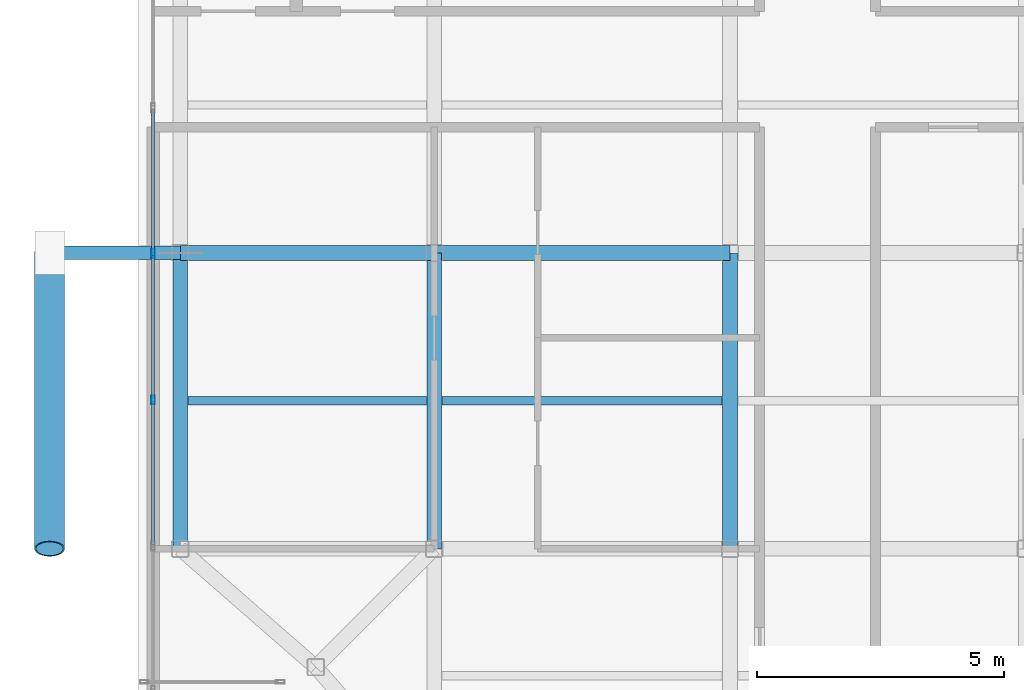
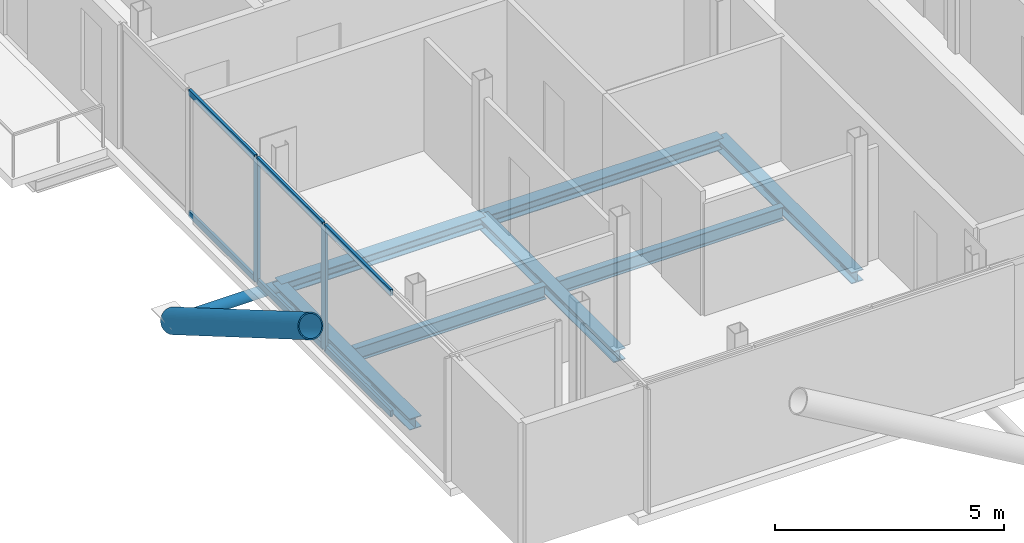
# One storey, part 3 of 18: 10 members, 7 beams, 1 element without a shape of its own.
"""IFC4 building model written with IfcOpenShell, lengths in metres."""

from ifc_helpers import new_model, si_unit, direction, frame, origin, origin_2d, place, context, subcontext, project, spatial, hollow_rectangle, hollow_circle, i_section, extrude, material, layer, layer_set, material_profile, profile_set, type_object, element, aggregate, save


model = new_model("IFC4")

# Units and contexts
model_context = context("Model", 3, precision=1e-05, world=origin(), true_north=direction((0.0, 1.0)))
body_context = subcontext(model_context, "Body", "Model", "MODEL_VIEW")
ifc_project = project(units=[si_unit("LENGTHUNIT", "METRE"), si_unit("AREAUNIT", "SQUARE_METRE"), si_unit("VOLUMEUNIT", "CUBIC_METRE"), si_unit("PLANEANGLEUNIT", "RADIAN"), si_unit("MASSUNIT", "GRAM", prefix="KILO"), si_unit("THERMODYNAMICTEMPERATUREUNIT", "KELVIN"), si_unit("POWERUNIT", "WATT")], contexts=[model_context])

# Site, building, storey
site_placement = place(None, origin())
site = spatial("IfcSite", under=ifc_project, at=site_placement, CompositionType="ELEMENT")
building_placement = place(site_placement, origin())
building = spatial("IfcBuilding", under=site, at=building_placement, Name="Svarakhadi Broadcast Tower", CompositionType="ELEMENT")
storey_placement = place(building_placement, frame((0.0, 0.0, 246.699951171875)))
storey = spatial("IfcBuildingStorey", under=building, at=storey_placement, Name="L61", CompositionType="ELEMENT", Elevation=246.699951171875)

# Beams
ifc_material_1 = material(Name="Steel S355J2 (IS 2062 E350C)", Category="steel")
ifc_material_profile_1 = material_profile(ifc_material_1, i_section(OverallWidth=0.169921875, OverallDepth=0.360107421875, WebThickness=0.008056640625, FlangeThickness=0.0126953125, FilletRadius=0.01806640625, at=origin_2d()), Name="NPB 360x170x57")
ifc_profile_set_1 = profile_set([ifc_material_profile_1], Name="Steel S355J2 (IS 2062 E350C)")
beam_type_1 = type_object("IfcBeamType", Name="Beam_NPB360", PredefinedType="BEAM", material=ifc_profile_set_1)
beam_1_placement = place(storey_placement, frame((1.010009765625, 9.0, -0.3798828125), z_axis=(1.0, 0.0, 0.0), x_axis=(0.0, 1.0, 0.0)))
element("IfcBeam", 1, at=beam_1_placement, inside=storey, type_object=beam_type_1, Name="L61 Secondary Composite Beam SB001", PredefinedType="BEAM", context=body_context, shape_type="SweptSolid", body=[
    extrude(i_section(OverallWidth=0.169921875, OverallDepth=0.360107421875, WebThickness=0.008056640625, FlangeThickness=0.0126953125, FilletRadius=0.01806640625, at=origin_2d()), origin(), (0.0, 0.0, 1.0), 4.830078125),
])
beam_2_placement = place(storey_placement, frame((6.159912109375, 9.0, -0.3798828125), z_axis=(1.0, 0.0, 0.0), x_axis=(0.0, 1.0, 0.0)))
element("IfcBeam", 2, at=beam_2_placement, inside=storey, type_object=beam_type_1, Name="L61 Secondary Composite Beam SB005", PredefinedType="BEAM", context=body_context, shape_type="SweptSolid", body=[
    extrude(i_section(OverallWidth=0.169921875, OverallDepth=0.360107421875, WebThickness=0.008056640625, FlangeThickness=0.0126953125, FilletRadius=0.01806640625, at=origin_2d()), origin(), (0.0, 0.0, 1.0), 5.68017578125),
])

# Curtain wall, members
ifc_material_2 = material(Name="Anodised Bronze Aluminium AA 6063-T6", Category="aluminium")
ifc_layer = layer(ifc_material_2, 0.179931640625)
ifc_layer_set = layer_set([ifc_layer], Name="Anodised Bronze Aluminium AA 6063-T6")
curtain_wall_type = type_object("IfcCurtainWallType", Name="CW_Sys_05", PredefinedType="NOTDEFINED", material=ifc_layer_set)
curtain_wall_placement = place(storey_placement, origin())
curtain_wall = element("IfcCurtainWall", 3, at=curtain_wall_placement, inside=storey, type_object=curtain_wall_type, Name="L61 West Curtain Wall 02", PredefinedType="NOTDEFINED")
ifc_material_profile_2 = material_profile(ifc_material_2, hollow_rectangle(XDim=0.070068359375, YDim=0.179931640625, WallThickness=0.005615234375, at=origin_2d()), Name="ALU MULLION 180x70x6")
ifc_profile_set_2 = profile_set([ifc_material_profile_2], Name="Anodised Bronze Aluminium AA 6063-T6")
member_type_1 = type_object("IfcMemberType", Name="CW_Sys_05_Mul", PredefinedType="MULLION", material=ifc_profile_set_2)
member_1_placement = place(storey_placement, frame((0.300048828125, 9.01806640625, 0.0), z_axis=(0.0, 0.0, 1.0), x_axis=(-1.0, 0.0, 0.0)))
member_1 = element("IfcMember", 4, at=member_1_placement, type_object=member_type_1, Name="CW-05 mullion 3", PredefinedType="MULLION", context=body_context, shape_type="SweptSolid", body=[
    extrude(hollow_rectangle(XDim=0.070068359375, YDim=0.179931640625, WallThickness=0.005615234375, at=origin_2d()), origin(), (0.0, 0.0, 1.0), 3.300048828125),
])
member_2_placement = place(storey_placement, frame((0.300048828125, 11.98193359375, 0.0), z_axis=(0.0, 0.0, 1.0), x_axis=(-1.0, 0.0, 0.0)))
member_2 = element("IfcMember", 5, at=member_2_placement, type_object=member_type_1, Name="CW-05 mullion 4", PredefinedType="MULLION", context=body_context, shape_type="SweptSolid", body=[
    extrude(hollow_rectangle(XDim=0.070068359375, YDim=0.179931640625, WallThickness=0.005615234375, at=origin_2d()), origin(), (0.0, 0.0, 1.0), 3.300048828125),
])
ifc_material_profile_3 = material_profile(ifc_material_2, hollow_rectangle(XDim=0.06494140625, YDim=0.1650390625, WallThickness=0.0048828125, at=origin_2d()), Name="ALU TRANSOM 165x65x5")
ifc_profile_set_3 = profile_set([ifc_material_profile_3], Name="Anodised Bronze Aluminium AA 6063-T6")
member_type_2 = type_object("IfcMemberType", Name="CW_Sys_05_Trn", PredefinedType="USERDEFINED", material=ifc_profile_set_3)
member_3_placement = place(storey_placement, frame((0.300048828125, 6.089111328125, 0.032470703125), z_axis=(0.0, 1.0, 0.0), x_axis=(-1.0, 0.0, 0.0)))
member_3 = element("IfcMember", 6, at=member_3_placement, type_object=member_type_2, Name="CW-05 transom 2.1", ObjectType="TRANSOM", PredefinedType="USERDEFINED", context=body_context, shape_type="SweptSolid", body=[
    extrude(hollow_rectangle(XDim=0.06494140625, YDim=0.1650390625, WallThickness=0.0048828125, at=origin_2d()), origin(), (0.0, 0.0, 1.0), 2.893798828125),
])
member_4_placement = place(storey_placement, frame((0.300048828125, 6.089111328125, 3.267578125), z_axis=(0.0, 1.0, 0.0), x_axis=(-1.0, 0.0, 0.0)))
member_4 = element("IfcMember", 7, at=member_4_placement, type_object=member_type_2, Name="CW-05 transom 2.2", ObjectType="TRANSOM", PredefinedType="USERDEFINED", context=body_context, shape_type="SweptSolid", body=[
    extrude(hollow_rectangle(XDim=0.06494140625, YDim=0.1650390625, WallThickness=0.0048828125, at=origin_2d()), origin(), (0.0, 0.0, 1.0), 2.893798828125),
])
member_5_placement = place(storey_placement, frame((0.300048828125, 9.052978515625, 0.032470703125), z_axis=(0.0, 1.0, 0.0), x_axis=(-1.0, 0.0, 0.0)))
member_5 = element("IfcMember", 8, at=member_5_placement, type_object=member_type_2, Name="CW-05 transom 3.1", ObjectType="TRANSOM", PredefinedType="USERDEFINED", context=body_context, shape_type="SweptSolid", body=[
    extrude(hollow_rectangle(XDim=0.06494140625, YDim=0.1650390625, WallThickness=0.0048828125, at=origin_2d()), origin(), (0.0, 0.0, 1.0), 2.89404296875),
])
member_6_placement = place(storey_placement, frame((0.300048828125, 9.052978515625, 3.267578125), z_axis=(0.0, 1.0, 0.0), x_axis=(-1.0, 0.0, 0.0)))
member_6 = element("IfcMember", 9, at=member_6_placement, type_object=member_type_2, Name="CW-05 transom 3.2", ObjectType="TRANSOM", PredefinedType="USERDEFINED", context=body_context, shape_type="SweptSolid", body=[
    extrude(hollow_rectangle(XDim=0.06494140625, YDim=0.1650390625, WallThickness=0.0048828125, at=origin_2d()), origin(), (0.0, 0.0, 1.0), 2.89404296875),
])
member_7_placement = place(storey_placement, frame((0.300048828125, 12.01708984375, 0.032470703125), z_axis=(0.0, 1.0, 0.0), x_axis=(-1.0, 0.0, 0.0)))
member_7 = element("IfcMember", 10, at=member_7_placement, type_object=member_type_2, Name="CW-05 transom 4.1", ObjectType="TRANSOM", PredefinedType="USERDEFINED", context=body_context, shape_type="SweptSolid", body=[
    extrude(hollow_rectangle(XDim=0.06494140625, YDim=0.1650390625, WallThickness=0.0048828125, at=origin_2d()), origin(), (0.0, 0.0, 1.0), 2.893798828125),
])
member_8_placement = place(storey_placement, frame((0.300048828125, 12.01708984375, 3.267578125), z_axis=(0.0, 1.0, 0.0), x_axis=(-1.0, 0.0, 0.0)))
member_8 = element("IfcMember", 11, at=member_8_placement, type_object=member_type_2, Name="CW-05 transom 4.2", ObjectType="TRANSOM", PredefinedType="USERDEFINED", context=body_context, shape_type="SweptSolid", body=[
    extrude(hollow_rectangle(XDim=0.06494140625, YDim=0.1650390625, WallThickness=0.0048828125, at=origin_2d()), origin(), (0.0, 0.0, 1.0), 2.893798828125),
])
aggregate(curtain_wall, [member_1, member_2, member_3, member_4, member_5, member_6, member_7, member_8])

# Members
ifc_material_3 = material(Name="Steel S460ML (IS 2062 E450BR)", Category="steel")
ifc_material_profile_4 = material_profile(ifc_material_3, hollow_circle(Radius=0.304931640625, WallThickness=0.030029296875, at=origin_2d()), Name="CHS 610x30")
ifc_profile_set_4 = profile_set([ifc_material_profile_4], Name="Steel S460ML (IS 2062 E450BR)")
member_type_3 = type_object("IfcMemberType", Name="Exo_Brace_CHS610", PredefinedType="BRACE", material=ifc_profile_set_4)
member_9_placement = place(storey_placement, frame((-1.800048828125, 12.0, -0.33642578125), z_axis=(0.0, -0.863778900898, 0.503871025524), x_axis=(1.0, 0.0, 0.0)))
element("IfcMember", 12, at=member_9_placement, inside=storey, type_object=member_type_3, Name="L61 Exposed Bronze Exoskeleton Diagonal W03", PredefinedType="BRACE", context=body_context, shape_type="SweptSolid", body=[
    extrude(hollow_circle(Radius=0.304931640625, WallThickness=0.030029296875, at=origin_2d()), origin(), (0.0, 0.0, 1.0), 6.9462890625),
])
ifc_material_profile_5 = material_profile(ifc_material_3, hollow_circle(Radius=0.136474609375, WallThickness=0.012451171875, at=origin_2d()), Name="CHS 273x12.5")
ifc_profile_set_5 = profile_set([ifc_material_profile_5], Name="Steel S460ML (IS 2062 E450BR)")
member_type_4 = type_object("IfcMemberType", Name="Exo_Radial_Strut_Z3", PredefinedType="STRUT", material=ifc_profile_set_5)
member_10_placement = place(storey_placement, frame((-1.800048828125, 12.0, -0.33642578125), z_axis=(1.0, 0.0, 0.0), x_axis=(0.0, 1.0, 0.0)))
element("IfcMember", 13, at=member_10_placement, inside=storey, type_object=member_type_4, Name="L61 Exoskeleton Radial Tie Strut W02", PredefinedType="STRUT", context=body_context, shape_type="SweptSolid", body=[
    extrude(hollow_circle(Radius=0.136474609375, WallThickness=0.012451171875, at=origin_2d()), origin(), (0.0, 0.0, 1.0), 2.650146484375),
])

# Beams
ifc_material_profile_6 = material_profile(ifc_material_1, i_section(OverallWidth=0.300048828125, OverallDepth=0.300048828125, WebThickness=0.010986328125, FlangeThickness=0.01904296875, FilletRadius=0.027099609375, at=origin_2d()), Name="WPB 300x300x117")
ifc_profile_set_6 = profile_set([ifc_material_profile_6], Name="Steel S355J2 (IS 2062 E350C)")
beam_type_2 = type_object("IfcBeamType", Name="Girder_WPB300", PredefinedType="USERDEFINED", material=ifc_profile_set_6)
beam_3_placement = place(storey_placement, frame((0.85009765625, 12.0, -0.349853515625), z_axis=(1.0, 0.0, 0.0), x_axis=(0.0, 1.0, 0.0)))
element("IfcBeam", 14, at=beam_3_placement, inside=storey, type_object=beam_type_2, Name="L61 Primary E-W Girder G013", ObjectType="GIRDER", PredefinedType="USERDEFINED", context=body_context, shape_type="SweptSolid", body=[
    extrude(i_section(OverallWidth=0.300048828125, OverallDepth=0.300048828125, WebThickness=0.010986328125, FlangeThickness=0.01904296875, FilletRadius=0.027099609375, at=origin_2d()), origin(), (0.0, 0.0, 1.0), 5.14990234375),
])
for number, where, z_axis, x_axis, name in (
    (15, (6.0, 12.0, -0.349853515625), (1.0, 0.0, 0.0), (0.0, 1.0, 0.0), "L61 Primary E-W Girder G014"),
    (16, (0.85009765625, 6.0, -0.349853515625), (0.0, 1.0, 0.0), (-1.0, 0.0, 0.0), "L61 Primary N-S Girder G026"),
    (17, (6.0, 6.0, -0.349853515625), (0.0, 1.0, 0.0), (-1.0, 0.0, 0.0), "L61 Primary N-S Girder G030"),
    (18, (12.0, 6.0, -0.349853515625), (0.0, 1.0, 0.0), (-1.0, 0.0, 0.0), "L61 Primary N-S Girder G034"),
):
    element("IfcBeam", number, at=place(storey_placement, frame(where, z_axis=z_axis, x_axis=x_axis)), inside=storey, type_object=beam_type_2, Name=name, ObjectType="GIRDER", PredefinedType="USERDEFINED", context=body_context, shape_type="SweptSolid", body=[
        extrude(i_section(OverallWidth=0.300048828125, OverallDepth=0.300048828125, WebThickness=0.010986328125, FlangeThickness=0.01904296875, FilletRadius=0.027099609375, at=origin_2d()), origin(), (0.0, 0.0, 1.0), 6.0),
    ])

save(model, "model.ifc")
